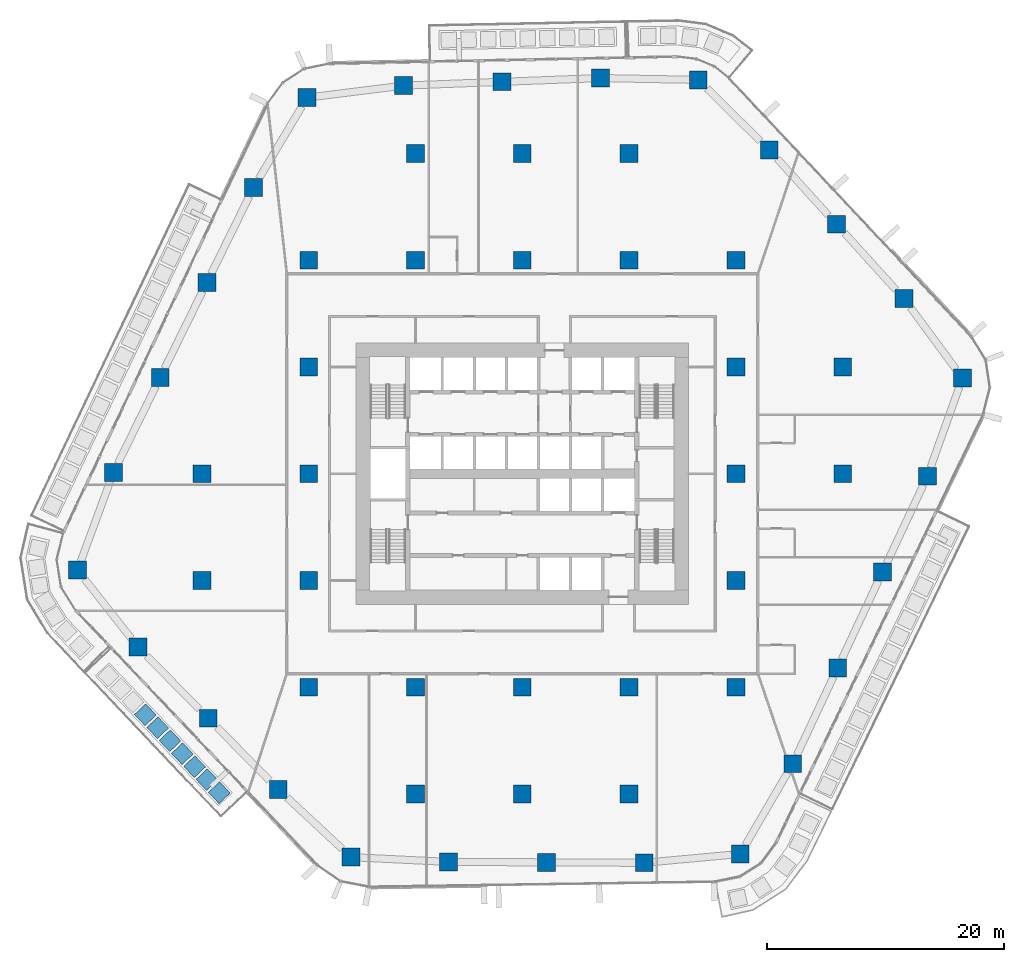
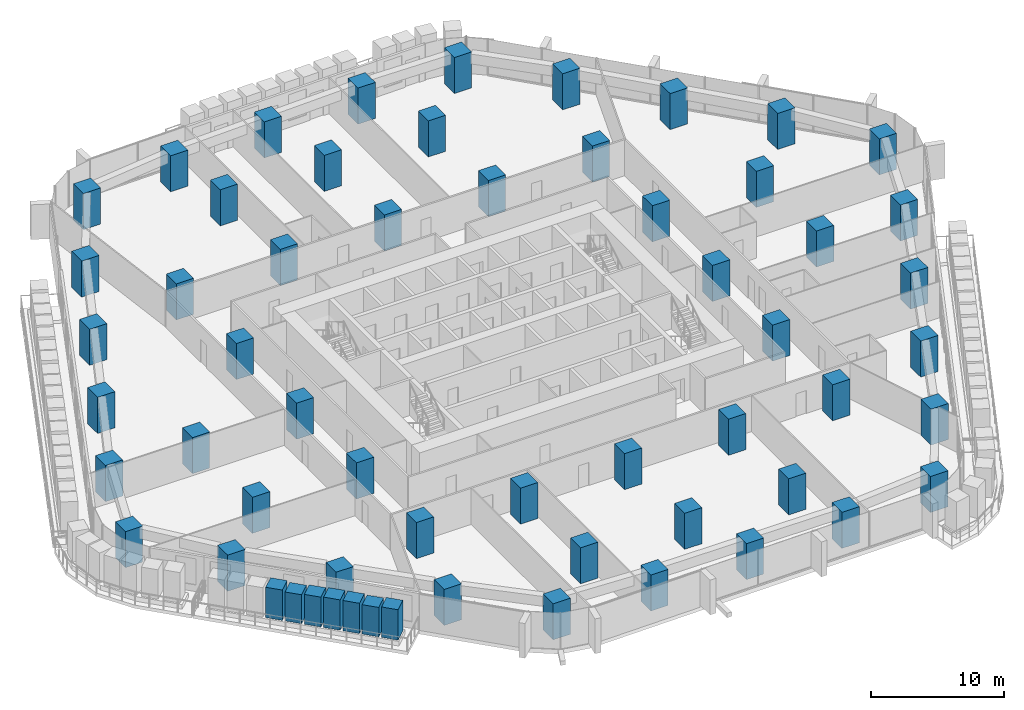
# One storey, part 1 of 24: 52 columns, 7 members.
"""IFC4 building model written with IfcOpenShell, lengths in metres."""

from ifc_helpers import new_model, si_unit, direction, frame, origin, origin_2d, place, context, subcontext, project, spatial, rectangle, extrude, material, material_profile, profile_set, type_object, element, save


model = new_model("IFC4")

# Units and contexts
model_context = context("Model", 3, precision=1e-05, world=origin(), true_north=direction((0.0, 1.0)))
body_context = subcontext(model_context, "Body", "Model", "MODEL_VIEW")
ifc_project = project(units=[si_unit("LENGTHUNIT", "METRE"), si_unit("AREAUNIT", "SQUARE_METRE"), si_unit("VOLUMEUNIT", "CUBIC_METRE"), si_unit("PLANEANGLEUNIT", "RADIAN"), si_unit("MASSUNIT", "GRAM", prefix="KILO")], contexts=[model_context])

# Site, building, storey
site_placement = place(None, origin())
site = spatial("IfcSite", under=ifc_project, at=site_placement, CompositionType="ELEMENT")
building_placement = place(site_placement, origin())
building = spatial("IfcBuilding", under=site, at=building_placement, Name="Dongbaek Canopy Tower", CompositionType="ELEMENT")
storey_placement = place(building_placement, frame((0.0, 0.0, 47.699951171875)))
storey = spatial("IfcBuildingStorey", under=building, at=storey_placement, Name="L07", CompositionType="ELEMENT", Elevation=47.699951171875)

# Columns
ifc_material_1 = material(Name="Concrete C80", Category="concrete")
ifc_material_profile_1 = material_profile(ifc_material_1, rectangle(XDim=1.5, YDim=1.5, at=origin_2d()), Name="RC COLUMN 1500x1500 C80")
ifc_profile_set_1 = profile_set([ifc_material_profile_1], Name="Concrete C80")
column_type = type_object("IfcColumnType", Name="RC COLUMN 1500x1500 C80", PredefinedType="COLUMN", material=ifc_profile_set_1)
for number, where, z_axis, x_axis, name in (
    (1, (18.367919921875, -32.04296875, 0.0), (0.0, 0.0, 1.0), (1.0, 0.0, 0.0), "COL:CZ1-01:L07"),
    (2, (10.277099609375, -32.7900390625, 0.0), (0.0, 0.0, 1.0), (1.0, 0.0, 0.0), "COL:CZ1-02:L07"),
    (3, (2.027099609375, -32.7529296875, 0.0), (0.0, 0.0, 1.0), (1.0, 0.0, 0.0), "COL:CZ1-03:L07"),
    (4, (-6.221923828125, -32.717041015625, 0.0), (0.0, 0.0, 1.0), (1.0, 0.0, 0.0), "COL:CZ1-04:L07"),
    (5, (-14.43408203125, -32.31298828125, 0.0), (0.0, 0.0, 1.0), (1.0, 0.0, 0.0), "COL:CZ1-05:L07"),
    (6, (-20.573974609375, -26.60205078125, 0.0), (0.0, 0.0, 1.0), (1.0, 0.0, 0.0), "COL:CZ1-06:L07"),
    (7, (-26.47802734375, -20.60791015625, 0.0), (0.0, 0.0, 1.0), (1.0, 0.0, 0.0), "COL:CZ1-07:L07"),
    (8, (-32.382080078125, -14.613037109375, 0.0), (0.0, 0.0, 1.0), (1.0, 0.0, 0.0), "COL:CZ1-08:L07"),
    (9, (-37.489013671875, -8.123046875, 0.0), (0.0, 0.0, 1.0), (1.0, 0.0, 0.0), "COL:CZ1-09:L07"),
    (10, (-34.462890625, 0.10302734375, 0.0), (0.0, 0.0, 1.0), (1.0, 0.0, 0.0), "COL:CZ1-10:L07"),
    (11, (-30.52490234375, 8.111083984375, 0.0), (0.0, 0.0, 1.0), (1.0, 0.0, 0.0), "COL:CZ1-11:L07"),
    (12, (-26.5859375, 16.117919921875, 0.0), (0.0, 0.0, 1.0), (1.0, 0.0, 0.0), "COL:CZ1-12:L07"),
    (13, (-22.64794921875, 24.125, 0.0), (0.0, 0.0, 1.0), (1.0, 0.0, 0.0), "COL:CZ1-13:L07"),
    (14, (-18.138916015625, 31.698974609375, 0.0), (0.0, 0.0, 1.0), (1.0, 0.0, 0.0), "COL:CZ1-14:L07"),
    (15, (-10.006103515625, 32.714111328125, 0.0), (0.0, 0.0, 1.0), (1.0, 0.0, 0.0), "COL:CZ1-15:L07"),
    (16, (-1.7080078125, 33.031982421875, 0.0), (0.0, 0.0, 1.0), (1.0, 0.0, 0.0), "COL:CZ1-16:L07"),
    (17, (6.589111328125, 33.34912109375, 0.0), (0.0, 0.0, 1.0), (1.0, 0.0, 0.0), "COL:CZ1-17:L07"),
    (18, (14.830078125, 33.194091796875, 0.0), (0.0, 0.0, 1.0), (1.0, 0.0, 0.0), "COL:CZ1-18:L07"),
    (19, (20.804931640625, 27.297119140625, 0.0), (0.0, 0.0, 1.0), (1.0, 0.0, 0.0), "COL:CZ1-19:L07"),
    (20, (26.48193359375, 21.029052734375, 0.0), (0.0, 0.0, 1.0), (1.0, 0.0, 0.0), "COL:CZ1-20:L07"),
    (21, (32.157958984375, 14.760986328125, 0.0), (0.0, 0.0, 1.0), (1.0, 0.0, 0.0), "COL:CZ1-21:L07"),
    (22, (37.097900390625, 8.06591796875, 0.0), (0.0, 0.0, 1.0), (1.0, 0.0, 0.0), "COL:CZ1-22:L07"),
    (23, (34.14306640625, -0.205078125, 0.0), (0.0, 0.0, 1.0), (1.0, 0.0, 0.0), "COL:CZ1-23:L07"),
    (24, (30.360107421875, -8.283935546875, 0.0), (0.0, 0.0, 1.0), (1.0, 0.0, 0.0), "COL:CZ1-24:L07"),
    (25, (26.575927734375, -16.364013671875, 0.0), (0.0, 0.0, 1.0), (1.0, 0.0, 0.0), "COL:CZ1-25:L07"),
    (26, (22.7919921875, -24.443115234375, 0.0), (0.0, 0.0, 1.0), (1.0, 0.0, 0.0), "COL:CZ1-26:L07"),
    (27, (-27.0, -9.0, 0.0), (0.0, 0.0, 1.0), (1.0, 0.0, 0.0), "COL:CIZ1-01:L07"),
    (28, (-27.0, 0.0, 0.0), (0.0, 0.0, 1.0), (1.0, 0.0, 0.0), "COL:CIZ1-02:L07"),
    (29, (-18.0, -18.0, 0.0), (0.0, 0.0, 1.0), (1.0, 0.0, 0.0), "COL:CIZ1-03:L07"),
    (30, (-18.0, -9.0, 0.0), (0.0, 0.0, 1.0), (1.0, 0.0, 0.0), "COL:CIZ1-04:L07"),
    (31, (-18.0, 0.0, 0.0), (0.0, 0.0, 1.0), (1.0, 0.0, 0.0), "COL:CIZ1-05:L07"),
    (32, (-18.0, 9.0, 0.0), (0.0, 0.0, 1.0), (1.0, 0.0, 0.0), "COL:CIZ1-06:L07"),
    (33, (-18.0, 18.0, 0.0), (0.0, 0.0, 1.0), (1.0, 0.0, 0.0), "COL:CIZ1-07:L07"),
    (34, (-9.0, -27.0, 0.0), (0.0, 0.0, 1.0), (1.0, 0.0, 0.0), "COL:CIZ1-08:L07"),
    (35, (-9.0, -18.0, 0.0), (0.0, 0.0, 1.0), (1.0, 0.0, 0.0), "COL:CIZ1-09:L07"),
    (36, (-9.0, 18.0, 0.0), (0.0, 0.0, 1.0), (1.0, 0.0, 0.0), "COL:CIZ1-10:L07"),
    (37, (-9.0, 27.0, 0.0), (0.0, 0.0, 1.0), (1.0, 0.0, 0.0), "COL:CIZ1-11:L07"),
    (38, (0.0, -27.0, 0.0), (0.0, 0.0, 1.0), (1.0, 0.0, 0.0), "COL:CIZ1-12:L07"),
    (39, (0.0, -18.0, 0.0), (0.0, 0.0, 1.0), (1.0, 0.0, 0.0), "COL:CIZ1-13:L07"),
    (40, (0.0, 18.0, 0.0), (0.0, 0.0, 1.0), (1.0, 0.0, 0.0), "COL:CIZ1-14:L07"),
    (41, (0.0, 27.0, 0.0), (0.0, 0.0, 1.0), (1.0, 0.0, 0.0), "COL:CIZ1-15:L07"),
    (42, (9.0, -27.0, 0.0), (0.0, 0.0, 1.0), (1.0, 0.0, 0.0), "COL:CIZ1-16:L07"),
    (43, (9.0, -18.0, 0.0), (0.0, 0.0, 1.0), (1.0, 0.0, 0.0), "COL:CIZ1-17:L07"),
    (44, (9.0, 18.0, 0.0), (0.0, 0.0, 1.0), (1.0, 0.0, 0.0), "COL:CIZ1-18:L07"),
    (45, (9.0, 27.0, 0.0), (0.0, 0.0, 1.0), (1.0, 0.0, 0.0), "COL:CIZ1-19:L07"),
    (46, (18.0, -18.0, 0.0), (0.0, 0.0, 1.0), (1.0, 0.0, 0.0), "COL:CIZ1-20:L07"),
    (47, (18.0, -9.0, 0.0), (0.0, 0.0, 1.0), (1.0, 0.0, 0.0), "COL:CIZ1-21:L07"),
    (48, (18.0, 0.0, 0.0), (0.0, 0.0, 1.0), (1.0, 0.0, 0.0), "COL:CIZ1-22:L07"),
    (49, (18.0, 9.0, 0.0), (0.0, 0.0, 1.0), (1.0, 0.0, 0.0), "COL:CIZ1-23:L07"),
    (50, (18.0, 18.0, 0.0), (0.0, 0.0, 1.0), (1.0, 0.0, 0.0), "COL:CIZ1-24:L07"),
    (51, (27.0, 0.0, 0.0), (0.0, 0.0, 1.0), (1.0, 0.0, 0.0), "COL:CIZ1-25:L07"),
    (52, (27.0, 9.0, 0.0), (0.0, 0.0, 1.0), (1.0, 0.0, 0.0), "COL:CIZ1-26:L07"),
):
    element("IfcColumn", number, at=place(storey_placement, frame(where, z_axis=z_axis, x_axis=x_axis)), inside=storey, type_object=column_type, Name=name, PredefinedType="COLUMN", context=body_context, shape_type="SweptSolid", body=[
        extrude(rectangle(XDim=1.5, YDim=1.5, at=origin_2d()), origin(), (0.0, 0.0, 1.0), 3.300048828125),
    ])

# Members
ifc_material_2 = material(Name="Concrete C40/50 planter mass with planting", Category="concrete")
ifc_material_profile_2 = material_profile(ifc_material_2, rectangle(XDim=1.300048828125, YDim=1.300048828125, at=origin_2d()), Name="Terrace PLANTER shrub mass 1300 x 1300")
ifc_profile_set_2 = profile_set([ifc_material_profile_2], Name="Concrete C40/50 planter mass with planting")
member_type = type_object("IfcMemberType", Name="Terrace PLANTER shrub mass 1300 x 1300", PredefinedType="USERDEFINED", material=ifc_profile_set_2)
member_1_placement = place(storey_placement, frame((-31.771240234375, -20.313232421875, 0.420166015625), z_axis=(0.0, 0.0, 1.0), x_axis=(-0.725626548924, -0.688088738098, 0.0)))
element("IfcMember", 53, at=member_1_placement, inside=storey, type_object=member_type, Name="Planter shrubs L07 3.4", ObjectType="PLANTER", PredefinedType="USERDEFINED", context=body_context, shape_type="SweptSolid", body=[
    extrude(rectangle(XDim=1.300048828125, YDim=1.300048828125, at=origin_2d()), origin(), (0.0, 0.0, 1.0), 2.77978515625),
])
member_2_placement = place(storey_placement, frame((-30.7333984375, -21.40771484375, 0.420166015625), z_axis=(0.0, 0.0, 1.0), x_axis=(-0.725626548924, -0.688088738098, 0.0)))
element("IfcMember", 54, at=member_2_placement, inside=storey, type_object=member_type, Name="Planter shrubs L07 3.5", ObjectType="PLANTER", PredefinedType="USERDEFINED", context=body_context, shape_type="SweptSolid", body=[
    extrude(rectangle(XDim=1.300048828125, YDim=1.300048828125, at=origin_2d()), origin(), (0.0, 0.0, 1.0), 2.64990234375),
])
member_3_placement = place(storey_placement, frame((-29.695556640625, -22.501953125, 0.420166015625), z_axis=(0.0, 0.0, 1.0), x_axis=(-0.725626548924, -0.688088738098, 0.0)))
element("IfcMember", 55, at=member_3_placement, inside=storey, type_object=member_type, Name="Planter shrubs L07 3.6", ObjectType="PLANTER", PredefinedType="USERDEFINED", context=body_context, shape_type="SweptSolid", body=[
    extrude(rectangle(XDim=1.300048828125, YDim=1.300048828125, at=origin_2d()), origin(), (0.0, 0.0, 1.0), 2.72998046875),
])
member_4_placement = place(storey_placement, frame((-28.657958984375, -23.596435546875, 0.420166015625), z_axis=(0.0, 0.0, 1.0), x_axis=(-0.725626548924, -0.688088738098, 0.0)))
element("IfcMember", 56, at=member_4_placement, inside=storey, type_object=member_type, Name="Planter shrubs L07 3.7", ObjectType="PLANTER", PredefinedType="USERDEFINED", context=body_context, shape_type="SweptSolid", body=[
    extrude(rectangle(XDim=1.300048828125, YDim=1.300048828125, at=origin_2d()), origin(), (0.0, 0.0, 1.0), 2.77978515625),
])
member_5_placement = place(storey_placement, frame((-27.6201171875, -24.69091796875, 0.420166015625), z_axis=(0.0, 0.0, 1.0), x_axis=(-0.725626548924, -0.688088738098, 0.0)))
element("IfcMember", 57, at=member_5_placement, inside=storey, type_object=member_type, Name="Planter shrubs L07 3.8", ObjectType="PLANTER", PredefinedType="USERDEFINED", context=body_context, shape_type="SweptSolid", body=[
    extrude(rectangle(XDim=1.300048828125, YDim=1.300048828125, at=origin_2d()), origin(), (0.0, 0.0, 1.0), 2.769775390625),
])
member_6_placement = place(storey_placement, frame((-26.582275390625, -25.78515625, 0.420166015625), z_axis=(0.0, 0.0, 1.0), x_axis=(-0.725626548924, -0.688088738098, 0.0)))
element("IfcMember", 58, at=member_6_placement, inside=storey, type_object=member_type, Name="Planter shrubs L07 3.9", ObjectType="PLANTER", PredefinedType="USERDEFINED", context=body_context, shape_type="SweptSolid", body=[
    extrude(rectangle(XDim=1.300048828125, YDim=1.300048828125, at=origin_2d()), origin(), (0.0, 0.0, 1.0), 2.68994140625),
])
member_7_placement = place(storey_placement, frame((-25.54443359375, -26.879638671875, 0.420166015625), z_axis=(0.0, 0.0, 1.0), x_axis=(-0.725626548924, -0.688088738098, 0.0)))
element("IfcMember", 59, at=member_7_placement, inside=storey, type_object=member_type, Name="Planter shrubs L07 3.10", ObjectType="PLANTER", PredefinedType="USERDEFINED", context=body_context, shape_type="SweptSolid", body=[
    extrude(rectangle(XDim=1.300048828125, YDim=1.300048828125, at=origin_2d()), origin(), (0.0, 0.0, 1.0), 2.77978515625),
])

save(model, "model.ifc")
